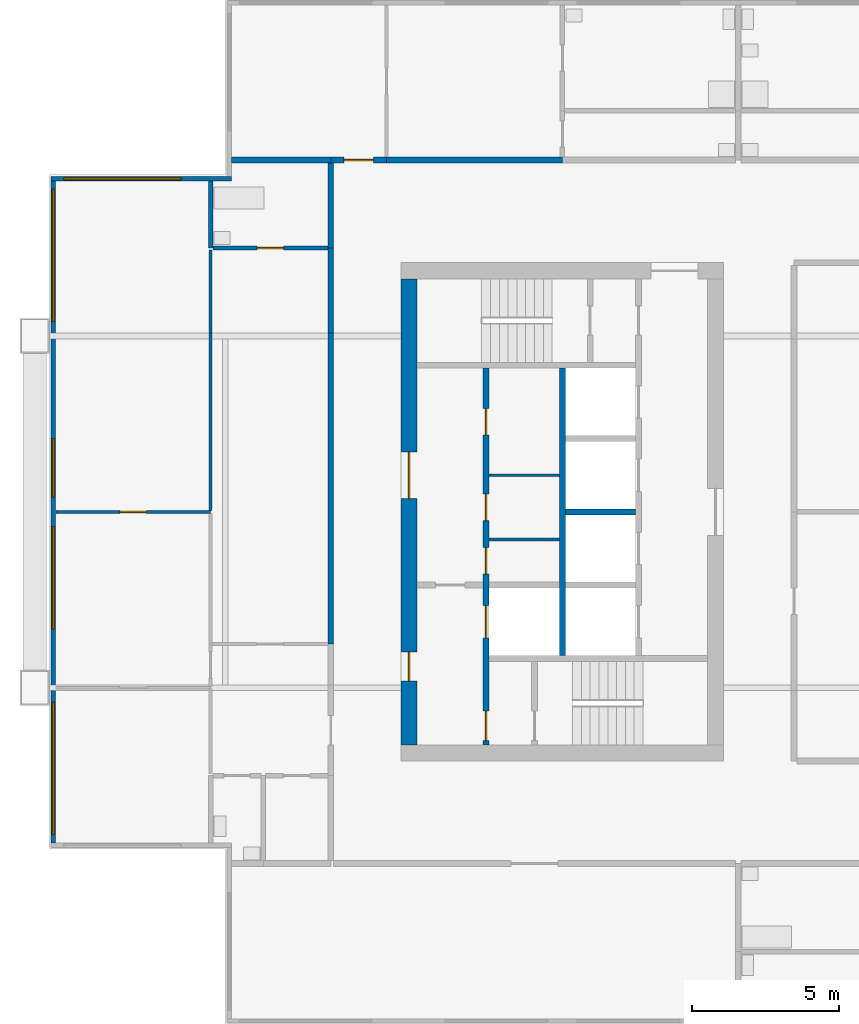
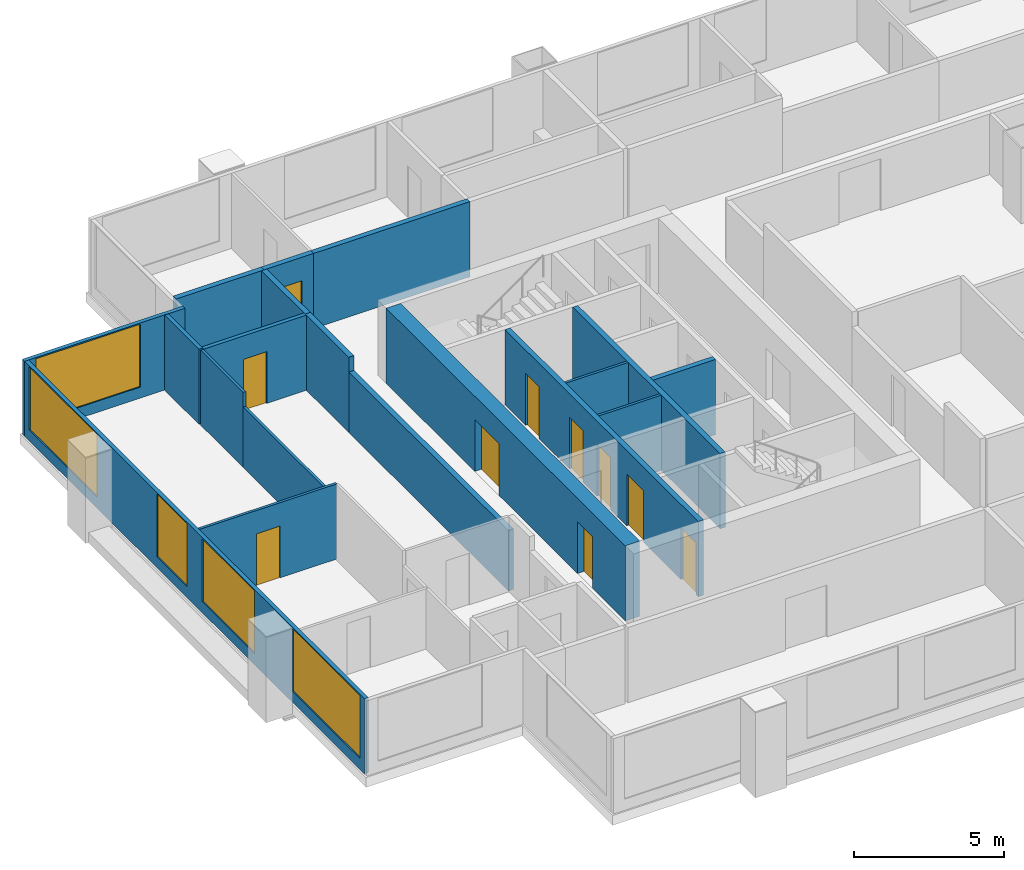
# One storey, part 3 of 9: 19 walls, 10 doors, 5 windows, 15 openings.
"""IFC4 building model written with IfcOpenShell, lengths in metres."""

from ifc_helpers import new_model, si_unit, direction, frame, frame_2d, origin, place, context, subcontext, project, spatial, rectangle, extrude, material, layer, layer_set, type_object, element, fill, save


model = new_model("IFC4")

# Units and contexts
model_context = context("Model", 3, precision=1e-05, world=origin(), true_north=direction((0.0, 1.0)))
body_context = subcontext(model_context, "Body", "Model", "MODEL_VIEW")
ifc_project = project(units=[si_unit("LENGTHUNIT", "METRE"), si_unit("AREAUNIT", "SQUARE_METRE"), si_unit("VOLUMEUNIT", "CUBIC_METRE"), si_unit("PLANEANGLEUNIT", "RADIAN"), si_unit("MASSUNIT", "GRAM", prefix="KILO")], contexts=[model_context])

# Site, building, storey
site_placement = place(None, origin())
site = spatial("IfcSite", under=ifc_project, at=site_placement, CompositionType="ELEMENT")
building_placement = place(site_placement, origin())
building = spatial("IfcBuilding", under=site, at=building_placement, Name="Kitamizu Gate Tower and Museum", CompositionType="ELEMENT")
storey_placement = place(building_placement, frame((0.0, 0.0, 210.0)))
storey = spatial("IfcBuildingStorey", under=building, at=storey_placement, Name="L56", CompositionType="ELEMENT", Elevation=210.0)

# Wall, openings, doors
ifc_material_1 = material(Name="Concrete Fc42", Category="concrete")
ifc_layer_1 = layer(ifc_material_1, 0.550048828125)
ifc_layer_set_1 = layer_set([ifc_layer_1], Name="Concrete Fc42")
wall_type_1 = type_object("IfcWallType", Name="Core wall 550", PredefinedType="SHEAR", material=ifc_layer_set_1)
wall_1_placement = place(storey_placement, frame((12.77490234375, 22.050048828125, 0.0), z_axis=(0.0, 0.0, 1.0), x_axis=(0.0, 1.0, 0.0)))
wall_1 = element("IfcWall", 1, at=wall_1_placement, inside=storey, type_object=wall_type_1, Name="Core wall WOUT", PredefinedType="SHEAR", context=body_context, shape_type="SweptSolid", body=[
    extrude(rectangle(XDim=15.89990234375, YDim=0.550048828125, at=frame_2d((7.949951171875, 0.0))), origin(), (0.0, 0.0, 1.0), 3.050048828125),
])
opening_1_placement = place(wall_1_placement, frame((8.39990234375, 0.0, 0.0)))
opening_1 = element("IfcOpeningElement", 2, at=opening_1_placement, cuts=wall_1, Name="Opening L56-037", PredefinedType="OPENING", context=body_context, shape_type="SweptSolid", body=[
    extrude(rectangle(XDim=1.60009765625, YDim=2.10009765625, at=frame_2d((0.800048828125, 1.050048828125))), frame((0.0, 0.28515625, 0.0), z_axis=(0.0, -1.0, 0.0), x_axis=(1.0, 0.0, 0.0)), (0.0, 0.0, 1.0), 0.570068359375),
])
opening_2_placement = place(wall_1_placement, frame((2.175048828125, 0.0, 0.0)))
opening_2 = element("IfcOpeningElement", 3, at=opening_2_placement, cuts=wall_1, Name="Opening L56-038", PredefinedType="OPENING", context=body_context, shape_type="SweptSolid", body=[
    extrude(rectangle(XDim=1.0, YDim=2.10009765625, at=frame_2d((0.5, 1.050048828125))), frame((0.0, 0.28515625, 0.0), z_axis=(0.0, -1.0, 0.0), x_axis=(1.0, 0.0, 0.0)), (0.0, 0.0, 1.0), 0.570068359375),
])
ifc_material_2 = material(Name="Timber door set", Category="wood")
door_type_1 = type_object("IfcDoorType", Name="Entrance door 1600", OperationType="DOUBLE_DOOR_SINGLE_SWING", PredefinedType="DOOR", material=ifc_material_2)
door_1_placement = place(opening_1_placement, origin())
door_1 = element("IfcDoor", 4, at=door_1_placement, inside=storey, type_object=door_type_1, Name="Lobby door L56-037", OperationType="DOUBLE_DOOR_SINGLE_SWING", OverallHeight=2.10009765625, OverallWidth=1.60009765625, PredefinedType="DOOR", context=body_context, shape_type="SweptSolid", body=[
    extrude(rectangle(XDim=1.60009765625, YDim=2.10009765625, at=frame_2d((0.800048828125, 1.050048828125))), frame((0.0, 0.02490234375, 0.0), z_axis=(0.0, -1.0, 0.0), x_axis=(1.0, 0.0, 0.0)), (0.0, 0.0, 1.0), 0.050048828125),
])
fill(opening_1, door_1)
ifc_material_3 = material(Name="Hollow metal door set")
door_type_2 = type_object("IfcDoorType", Name="Fire door 1000", OperationType="NOTDEFINED", PredefinedType="DOOR", material=ifc_material_3)
door_2_placement = place(opening_2_placement, frame((1.0, 0.0, 0.0), x_axis=(-1.0, 0.0, 0.0)))
door_2 = element("IfcDoor", 5, at=door_2_placement, inside=storey, type_object=door_type_2, Name="Fire-fighting lobby door L56-038", OperationType="SINGLE_SWING_LEFT", OverallHeight=2.10009765625, OverallWidth=1.0, PredefinedType="DOOR", context=body_context, shape_type="SweptSolid", body=[
    extrude(rectangle(XDim=1.0, YDim=2.10009765625, at=frame_2d((0.5, 1.050048828125))), frame((0.0, 0.02490234375, 0.0), z_axis=(0.0, -1.0, 0.0), x_axis=(1.0, 0.0, 0.0)), (0.0, 0.0, 1.0), 0.050048828125),
])
fill(opening_2, door_2)

# Walls
ifc_material_4 = material(Name="Gypsum board on galvanised stud")
ifc_layer_2 = layer(ifc_material_4, 0.10009765625)
ifc_layer_set_2 = layer_set([ifc_layer_2], Name="Gypsum board on galvanised stud")
wall_type_2 = type_object("IfcWallType", Name="Partition 100", PredefinedType="PARTITIONING", material=ifc_layer_set_2)
for number, where, z_axis, x_axis, name in (
    (6, (15.5, 29.06005859375, 0.0), (0.0, 0.0, 1.0), (1.0, 0.0, 0.0), "Partition WPF1"),
    (7, (15.5, 31.25, 0.0), (0.0, 0.0, 1.0), (1.0, 0.0, 0.0), "Partition WPF2"),
):
    element("IfcWall", number, at=place(storey_placement, frame(where, z_axis=z_axis, x_axis=x_axis)), inside=storey, type_object=wall_type_2, Name=name, PredefinedType="PARTITIONING", context=body_context, shape_type="SweptSolid", body=[
        extrude(rectangle(XDim=2.39990234375, YDim=0.10009765625, at=frame_2d((1.199951171875, 0.0))), origin(), (0.0, 0.0, 1.0), 3.050048828125),
    ])

# Wall, opening, door
ifc_material_5 = material(Name="Gypsum board on galvanised stud")
ifc_layer_3 = layer(ifc_material_5, 0.10009765625)
ifc_layer_set_3 = layer_set([ifc_layer_3], Name="Gypsum board on galvanised stud")
wall_type_3 = type_object("IfcWallType", Name="Partition 100 NOT RATED", PredefinedType="PARTITIONING", material=ifc_layer_set_3)
wall_2_placement = place(storey_placement, frame((6.0, 30.0, 0.0), z_axis=(0.0, 0.0, 1.0), x_axis=(-1.0, 0.0, 0.0)))
wall_2 = element("IfcWall", 8, at=wall_2_placement, inside=storey, type_object=wall_type_3, Name="Partition L56-038", PredefinedType="PARTITIONING", context=body_context, shape_type="SweptSolid", body=[
    extrude(rectangle(XDim=5.280029296875, YDim=0.10009765625, at=frame_2d((2.64013671875, 0.0))), origin(), (0.0, 0.0, 1.0), 3.050048828125),
])
opening_3_placement = place(wall_2_placement, frame((2.18994140625, 0.0, 0.0)))
opening_3 = element("IfcOpeningElement", 9, at=opening_3_placement, cuts=wall_2, Name="Opening L56-020", PredefinedType="OPENING", context=body_context, shape_type="SweptSolid", body=[
    extrude(rectangle(XDim=0.89990234375, YDim=2.10009765625, at=frame_2d((0.449951171875, 1.050048828125))), frame((0.0, 0.06005859375, 0.0), z_axis=(0.0, -1.0, 0.0), x_axis=(1.0, 0.0, 0.0)), (0.0, 0.0, 1.0), 0.1201171875),
])
ifc_material_6 = material(Name="Timber door set", Category="wood")
door_type_3 = type_object("IfcDoorType", Name="Room door 900", OperationType="NOTDEFINED", PredefinedType="DOOR", material=ifc_material_6)
door_3_placement = place(opening_3_placement, origin())
door_3 = element("IfcDoor", 10, at=door_3_placement, inside=storey, type_object=door_type_3, Name="Door L56-020", OperationType="SINGLE_SWING_RIGHT", OverallHeight=2.10009765625, OverallWidth=0.89990234375, PredefinedType="DOOR", context=body_context, shape_type="SweptSolid", body=[
    extrude(rectangle(XDim=0.89990234375, YDim=2.10009765625, at=frame_2d((0.449951171875, 1.050048828125))), frame((0.0, 0.02490234375, 0.0), z_axis=(0.0, -1.0, 0.0), x_axis=(1.0, 0.0, 0.0)), (0.0, 0.0, 1.0), 0.050048828125),
])
fill(opening_3, door_3)

# Walls
wall_3_placement = place(storey_placement, frame((6.0, 30.050048828125, 0.0), z_axis=(0.0, 0.0, 1.0), x_axis=(0.0, 1.0, 0.0)))
element("IfcWall", 11, at=wall_3_placement, inside=storey, type_object=wall_type_3, Name="Partition L56-041", PredefinedType="PARTITIONING", context=body_context, shape_type="SweptSolid", body=[
    extrude(rectangle(XDim=6.050048828125, YDim=0.10009765625, at=frame_2d((3.02490234375, 0.0))), origin(), (0.0, 0.0, 1.0), 2.449951171875),
])
wall_4_placement = place(storey_placement, frame((6.0, 36.10009765625, 0.0), z_axis=(0.0, 0.0, 1.0), x_axis=(0.0, 1.0, 0.0)))
element("IfcWall", 12, at=wall_4_placement, inside=storey, type_object=wall_type_3, Name="Partition L56-042", PredefinedType="PARTITIONING", context=body_context, shape_type="SweptSolid", body=[
    extrude(rectangle(XDim=2.824951171875, YDim=0.10009765625, at=frame_2d((1.41259765625, 0.0))), origin(), (0.0, 0.0, 1.0), 3.050048828125),
])
ifc_material_7 = material(Name="Gypsum board on galvanised stud")
ifc_layer_4 = layer(ifc_material_7, 0.14990234375)
ifc_layer_set_4 = layer_set([ifc_layer_4], Name="Gypsum board on galvanised stud")
wall_type_4 = type_object("IfcWallType", Name="Partition 150", PredefinedType="PARTITIONING", material=ifc_layer_set_4)
wall_5_placement = place(storey_placement, frame((6.0, 39.0, 0.0), z_axis=(0.0, 0.0, 1.0), x_axis=(0.0, 1.0, 0.0)))
element("IfcWall", 13, at=wall_5_placement, inside=storey, type_object=wall_type_4, Name="Partition L56-043", PredefinedType="PARTITIONING", context=body_context, shape_type="SweptSolid", body=[
    extrude(rectangle(XDim=2.280029296875, YDim=0.14990234375, at=frame_2d((1.14013671875, 0.0))), origin(), (0.0, 0.0, 1.0), 3.050048828125),
])

# Wall, opening, door
wall_6_placement = place(storey_placement, frame((10.0, 39.0, 0.0), z_axis=(0.0, 0.0, 1.0), x_axis=(-1.0, 0.0, 0.0)))
wall_6 = element("IfcWall", 14, at=wall_6_placement, inside=storey, type_object=wall_type_4, Name="Partition L56-053", PredefinedType="PARTITIONING", context=body_context, shape_type="SweptSolid", body=[
    extrude(rectangle(XDim=3.925048828125, YDim=0.14990234375, at=frame_2d((1.96240234375, 0.0))), origin(), (0.0, 0.0, 1.0), 3.050048828125),
])
opening_4_placement = place(wall_6_placement, frame((1.512451171875, 0.0, 0.0)))
opening_4 = element("IfcOpeningElement", 15, at=opening_4_placement, cuts=wall_6, Name="Opening L56-024", PredefinedType="OPENING", context=body_context, shape_type="SweptSolid", body=[
    extrude(rectangle(XDim=0.89990234375, YDim=2.10009765625, at=frame_2d((0.449951171875, 1.050048828125))), frame((0.0, 0.0849609375, 0.0), z_axis=(0.0, -1.0, 0.0), x_axis=(1.0, 0.0, 0.0)), (0.0, 0.0, 1.0), 0.169921875),
])
ifc_material_8 = material(Name="Timber door set", Category="wood")
door_type_4 = type_object("IfcDoorType", Name="Bathroom door 900", OperationType="NOTDEFINED", PredefinedType="DOOR", material=ifc_material_8)
door_4_placement = place(opening_4_placement, frame((0.89990234375, 0.0, 0.0), x_axis=(-1.0, 0.0, 0.0)))
door_4 = element("IfcDoor", 16, at=door_4_placement, inside=storey, type_object=door_type_4, Name="Bathroom door L56-024", OperationType="SINGLE_SWING_LEFT", OverallHeight=2.10009765625, OverallWidth=0.89990234375, PredefinedType="DOOR", context=body_context, shape_type="SweptSolid", body=[
    extrude(rectangle(XDim=0.89990234375, YDim=2.10009765625, at=frame_2d((0.449951171875, 1.050048828125))), frame((0.0, 0.02490234375, 0.0), z_axis=(0.0, -1.0, 0.0), x_axis=(1.0, 0.0, 0.0)), (0.0, 0.0, 1.0), 0.050048828125),
])
fill(opening_4, door_4)

# Wall
ifc_material_9 = material(Name="Gypsum board on galvanised stud")
ifc_layer_5 = layer(ifc_material_9, 0.199951171875)
ifc_layer_set_5 = layer_set([ifc_layer_5], Name="Gypsum board on galvanised stud")
wall_type_5 = type_object("IfcWallType", Name="Partition 200", PredefinedType="PARTITIONING", material=ifc_layer_set_5)
wall_7_placement = place(storey_placement, frame((6.719970703125, 42.0, 0.0), z_axis=(0.0, 0.0, 1.0), x_axis=(1.0, 0.0, 0.0)))
element("IfcWall", 17, at=wall_7_placement, inside=storey, type_object=wall_type_5, Name="Partition L56-015", PredefinedType="PARTITIONING", context=body_context, shape_type="SweptSolid", body=[
    extrude(rectangle(XDim=3.380126953125, YDim=0.199951171875, at=frame_2d((1.68994140625, 0.0))), origin(), (0.0, 0.0, 1.0), 3.050048828125),
])

# Wall, opening, door
wall_8_placement = place(storey_placement, frame((10.10009765625, 42.0, 0.0), z_axis=(0.0, 0.0, 1.0), x_axis=(1.0, 0.0, 0.0)))
wall_8 = element("IfcWall", 18, at=wall_8_placement, inside=storey, type_object=wall_type_5, Name="Partition L56-016", PredefinedType="PARTITIONING", context=body_context, shape_type="SweptSolid", body=[
    extrude(rectangle(XDim=1.89990234375, YDim=0.199951171875, at=frame_2d((0.949951171875, 0.0))), origin(), (0.0, 0.0, 1.0), 3.050048828125),
])
opening_5_placement = place(wall_8_placement, frame((0.449951171875, 0.0, 0.0)))
opening_5 = element("IfcOpeningElement", 19, at=opening_5_placement, cuts=wall_8, Name="Opening L56-007", PredefinedType="OPENING", context=body_context, shape_type="SweptSolid", body=[
    extrude(rectangle(XDim=1.0, YDim=2.10009765625, at=frame_2d((0.5, 1.050048828125))), frame((0.0, 0.10986328125, 0.0), z_axis=(0.0, -1.0, 0.0), x_axis=(1.0, 0.0, 0.0)), (0.0, 0.0, 1.0), 0.219970703125),
])
ifc_material_10 = material(Name="Timber door set", Category="wood")
door_type_5 = type_object("IfcDoorType", Name="Flat entrance door 1000", OperationType="NOTDEFINED", PredefinedType="DOOR", material=ifc_material_10)
door_5_placement = place(opening_5_placement, origin())
door_5 = element("IfcDoor", 20, at=door_5_placement, inside=storey, type_object=door_type_5, Name="Flat entrance door L56-007", OperationType="SINGLE_SWING_LEFT", OverallHeight=2.10009765625, OverallWidth=1.0, PredefinedType="DOOR", context=body_context, shape_type="SweptSolid", body=[
    extrude(rectangle(XDim=1.0, YDim=2.10009765625, at=frame_2d((0.5, 1.050048828125))), frame((0.0, 0.02490234375, 0.0), z_axis=(0.0, -1.0, 0.0), x_axis=(1.0, 0.0, 0.0)), (0.0, 0.0, 1.0), 0.050048828125),
])
fill(opening_5, door_5)

# Walls
wall_9_placement = place(storey_placement, frame((12.0, 42.0, 0.0), z_axis=(0.0, 0.0, 1.0), x_axis=(1.0, 0.0, 0.0)))
element("IfcWall", 21, at=wall_9_placement, inside=storey, type_object=wall_type_5, Name="Partition L56-019", PredefinedType="PARTITIONING", context=body_context, shape_type="SweptSolid", body=[
    extrude(rectangle(XDim=6.0, YDim=0.199951171875, at=frame_2d((3.0, 0.0))), origin(), (0.0, 0.0, 1.0), 3.050048828125),
])
wall_10_placement = place(storey_placement, frame((10.10009765625, 25.5, 0.0), z_axis=(0.0, 0.0, 1.0), x_axis=(0.0, 1.0, 0.0)))
element("IfcWall", 22, at=wall_10_placement, inside=storey, type_object=wall_type_5, Name="Partition L56-054", PredefinedType="PARTITIONING", context=body_context, shape_type="SweptSolid", body=[
    extrude(rectangle(XDim=10.60009765625, YDim=0.199951171875, at=frame_2d((5.300048828125, 0.0))), origin(), (0.0, 0.0, 1.0), 2.449951171875),
])
for number, where, z_axis, x_axis, name in (
    (23, (10.10009765625, 36.10009765625, 0.0), (0.0, 0.0, 1.0), (0.0, 1.0, 0.0), "Partition L56-055"),
    (24, (10.10009765625, 39.0, 0.0), (0.0, 0.0, 1.0), (0.0, 1.0, 0.0), "Partition L56-056"),
):
    element("IfcWall", number, at=place(storey_placement, frame(where, z_axis=z_axis, x_axis=x_axis)), inside=storey, type_object=wall_type_5, Name=name, PredefinedType="PARTITIONING", context=body_context, shape_type="SweptSolid", body=[
        extrude(rectangle(XDim=2.89990234375, YDim=0.199951171875, at=frame_2d((1.449951171875, 0.0))), origin(), (0.0, 0.0, 1.0), 3.050048828125),
    ])

# Wall, openings, doors
ifc_material_11 = material(Name="Concrete Fc42", Category="concrete")
ifc_layer_6 = layer(ifc_material_11, 0.199951171875)
ifc_layer_set_6 = layer_set([ifc_layer_6], Name="Concrete Fc42")
wall_type_6 = type_object("IfcWallType", Name="Shaft wall 200", PredefinedType="SOLIDWALL", material=ifc_layer_set_6)
wall_11_placement = place(storey_placement, frame((15.39990234375, 22.050048828125, 0.0), z_axis=(0.0, 0.0, 1.0), x_axis=(0.0, 1.0, 0.0)))
wall_11 = element("IfcWall", 25, at=wall_11_placement, inside=storey, type_object=wall_type_6, Name="Shaft wall WWEST", PredefinedType="SOLIDWALL", context=body_context, shape_type="SweptSolid", body=[
    extrude(rectangle(XDim=12.849853515625, YDim=0.199951171875, at=frame_2d((6.4248046875, 0.0))), origin(), (0.0, 0.0, 1.0), 3.050048828125),
])
opening_6_placement = place(wall_11_placement, frame((3.64990234375, 0.0, 0.0)))
opening_6 = element("IfcOpeningElement", 26, at=opening_6_placement, cuts=wall_11, Name="Opening LD", PredefinedType="OPENING", context=body_context, shape_type="SweptSolid", body=[
    extrude(rectangle(XDim=1.10009765625, YDim=2.10009765625, at=frame_2d((0.550048828125, 1.050048828125))), frame((0.0, 0.10986328125, 0.0), z_axis=(0.0, -1.0, 0.0), x_axis=(1.0, 0.0, 0.0)), (0.0, 0.0, 1.0), 0.219970703125),
])
opening_7_placement = place(wall_11_placement, frame((0.14990234375, 0.0, 0.0)))
opening_7 = element("IfcOpeningElement", 27, at=opening_7_placement, cuts=wall_11, Name="Opening L56-033", PredefinedType="OPENING", context=body_context, shape_type="SweptSolid", body=[
    extrude(rectangle(XDim=1.0, YDim=2.10009765625, at=frame_2d((0.5, 1.050048828125))), frame((0.0, 0.10986328125, 0.0), z_axis=(0.0, -1.0, 0.0), x_axis=(1.0, 0.0, 0.0)), (0.0, 0.0, 1.0), 0.219970703125),
])
opening_8_placement = place(wall_11_placement, frame((5.830078125, 0.0, 0.0)))
opening_8 = element("IfcOpeningElement", 28, at=opening_8_placement, cuts=wall_11, Name="Opening L56-041", PredefinedType="OPENING", context=body_context, shape_type="SweptSolid", body=[
    extrude(rectangle(XDim=0.89990234375, YDim=2.10009765625, at=frame_2d((0.449951171875, 1.050048828125))), frame((0.0, 0.10986328125, 0.0), z_axis=(0.0, -1.0, 0.0), x_axis=(1.0, 0.0, 0.0)), (0.0, 0.0, 1.0), 0.219970703125),
])
opening_9_placement = place(wall_11_placement, frame((7.655029296875, 0.0, 0.0)))
opening_9 = element("IfcOpeningElement", 29, at=opening_9_placement, cuts=wall_11, Name="Opening L56-042", PredefinedType="OPENING", context=body_context, shape_type="SweptSolid", body=[
    extrude(rectangle(XDim=0.89990234375, YDim=2.10009765625, at=frame_2d((0.449951171875, 1.050048828125))), frame((0.0, 0.10986328125, 0.0), z_axis=(0.0, -1.0, 0.0), x_axis=(1.0, 0.0, 0.0)), (0.0, 0.0, 1.0), 0.219970703125),
])
opening_10_placement = place(wall_11_placement, frame((10.574951171875, 0.0, 0.0)))
opening_10 = element("IfcOpeningElement", 30, at=opening_10_placement, cuts=wall_11, Name="Opening L56-043", PredefinedType="OPENING", context=body_context, shape_type="SweptSolid", body=[
    extrude(rectangle(XDim=0.89990234375, YDim=2.10009765625, at=frame_2d((0.449951171875, 1.050048828125))), frame((0.0, 0.10986328125, 0.0), z_axis=(0.0, -1.0, 0.0), x_axis=(1.0, 0.0, 0.0)), (0.0, 0.0, 1.0), 0.219970703125),
])
door_6_placement = place(opening_7_placement, frame((1.0, 0.0, 0.0), x_axis=(-1.0, 0.0, 0.0)))
door_6 = element("IfcDoor", 31, at=door_6_placement, inside=storey, type_object=door_type_2, Name="Stair lobby door L56-033", OperationType="SINGLE_SWING_LEFT", OverallHeight=2.10009765625, OverallWidth=1.0, PredefinedType="DOOR", context=body_context, shape_type="SweptSolid", body=[
    extrude(rectangle(XDim=1.0, YDim=2.10009765625, at=frame_2d((0.5, 1.050048828125))), frame((0.0, 0.02490234375, 0.0), z_axis=(0.0, -1.0, 0.0), x_axis=(1.0, 0.0, 0.0)), (0.0, 0.0, 1.0), 0.050048828125),
])
fill(opening_7, door_6)
ifc_material_12 = material(Name="Hollow metal door set")
door_type_6 = type_object("IfcDoorType", Name="Landing door 1100", OperationType="SLIDING_TO_LEFT", PredefinedType="DOOR", material=ifc_material_12)
door_7_placement = place(opening_6_placement, origin())
door_7 = element("IfcDoor", 32, at=door_7_placement, inside=storey, type_object=door_type_6, Name="Landing door WFF1", OperationType="SLIDING_TO_LEFT", OverallHeight=2.10009765625, OverallWidth=1.10009765625, PredefinedType="DOOR", context=body_context, shape_type="SweptSolid", body=[
    extrude(rectangle(XDim=1.10009765625, YDim=2.10009765625, at=frame_2d((0.550048828125, 1.050048828125))), frame((0.0, 0.02490234375, 0.0), z_axis=(0.0, -1.0, 0.0), x_axis=(1.0, 0.0, 0.0)), (0.0, 0.0, 1.0), 0.050048828125),
])
fill(opening_6, door_7)
ifc_material_13 = material(Name="Timber door set", Category="wood")
door_type_7 = type_object("IfcDoorType", Name="Service door 900", OperationType="NOTDEFINED", PredefinedType="DOOR", material=ifc_material_13)
door_8_placement = place(opening_8_placement, frame((0.89990234375, 0.0, 0.0), x_axis=(-1.0, 0.0, 0.0)))
door_8 = element("IfcDoor", 33, at=door_8_placement, inside=storey, type_object=door_type_7, Name="Service door L56-041", OperationType="SINGLE_SWING_RIGHT", OverallHeight=2.10009765625, OverallWidth=0.89990234375, PredefinedType="DOOR", context=body_context, shape_type="SweptSolid", body=[
    extrude(rectangle(XDim=0.89990234375, YDim=2.10009765625, at=frame_2d((0.449951171875, 1.050048828125))), frame((0.0, 0.02490234375, 0.0), z_axis=(0.0, -1.0, 0.0), x_axis=(1.0, 0.0, 0.0)), (0.0, 0.0, 1.0), 0.050048828125),
])
fill(opening_8, door_8)
door_9_placement = place(opening_9_placement, frame((0.89990234375, 0.0, 0.0), x_axis=(-1.0, 0.0, 0.0)))
door_9 = element("IfcDoor", 34, at=door_9_placement, inside=storey, type_object=door_type_7, Name="Service door L56-042", OperationType="SINGLE_SWING_LEFT", OverallHeight=2.10009765625, OverallWidth=0.89990234375, PredefinedType="DOOR", context=body_context, shape_type="SweptSolid", body=[
    extrude(rectangle(XDim=0.89990234375, YDim=2.10009765625, at=frame_2d((0.449951171875, 1.050048828125))), frame((0.0, 0.02490234375, 0.0), z_axis=(0.0, -1.0, 0.0), x_axis=(1.0, 0.0, 0.0)), (0.0, 0.0, 1.0), 0.050048828125),
])
fill(opening_9, door_9)
door_10_placement = place(opening_10_placement, frame((0.89990234375, 0.0, 0.0), x_axis=(-1.0, 0.0, 0.0)))
door_10 = element("IfcDoor", 35, at=door_10_placement, inside=storey, type_object=door_type_7, Name="Service door L56-043", OperationType="SINGLE_SWING_RIGHT", OverallHeight=2.10009765625, OverallWidth=0.89990234375, PredefinedType="DOOR", context=body_context, shape_type="SweptSolid", body=[
    extrude(rectangle(XDim=0.89990234375, YDim=2.10009765625, at=frame_2d((0.449951171875, 1.050048828125))), frame((0.0, 0.02490234375, 0.0), z_axis=(0.0, -1.0, 0.0), x_axis=(1.0, 0.0, 0.0)), (0.0, 0.0, 1.0), 0.050048828125),
])
fill(opening_10, door_10)

# Walls
wall_12_placement = place(storey_placement, frame((18.0, 25.10009765625, 0.0), z_axis=(0.0, 0.0, 1.0), x_axis=(0.0, 1.0, 0.0)))
element("IfcWall", 36, at=wall_12_placement, inside=storey, type_object=wall_type_6, Name="Shaft wall WMID", PredefinedType="SOLIDWALL", context=body_context, shape_type="SweptSolid", body=[
    extrude(rectangle(XDim=9.7998046875, YDim=0.199951171875, at=frame_2d((4.89990234375, 0.0))), origin(), (0.0, 0.0, 1.0), 3.050048828125),
])
wall_13_placement = place(storey_placement, frame((18.10009765625, 30.0, 0.0), z_axis=(0.0, 0.0, 1.0), x_axis=(1.0, 0.0, 0.0)))
element("IfcWall", 37, at=wall_13_placement, inside=storey, type_object=wall_type_6, Name="Shaft wall WDVE1", PredefinedType="SOLIDWALL", context=body_context, shape_type="SweptSolid", body=[
    extrude(rectangle(XDim=2.39990234375, YDim=0.199951171875, at=frame_2d((1.199951171875, 0.0))), origin(), (0.0, 0.0, 1.0), 3.050048828125),
])

# Wall, opening, window
ifc_material_14 = material(Name="Bronze anodised aluminium frame with insulated spandrel and tinted glass", Category="aluminium")
ifc_layer_7 = layer(ifc_material_14, 0.14990234375)
ifc_layer_set_7 = layer_set([ifc_layer_7], Name="Bronze anodised aluminium frame with insulated spandrel and tinted glass")
wall_type_7 = type_object("IfcWallType", Name="WINDOW WALL 150 BRONZE FRAME EI 30", PredefinedType="ELEMENTEDWALL", material=ifc_layer_set_7)
wall_14_placement = place(storey_placement, frame((0.56005859375, 41.364990234375, 0.0), z_axis=(0.0, 0.0, 1.0), x_axis=(1.0, 0.0, 0.0)))
wall_14 = element("IfcWall", 38, at=wall_14_placement, inside=storey, type_object=wall_type_7, Name="Window wall north L56", PredefinedType="ELEMENTEDWALL", context=body_context, shape_type="SweptSolid", body=[
    extrude(rectangle(XDim=6.14990234375, YDim=0.14990234375, at=frame_2d((3.074951171875, 0.0))), origin(), (0.0, 0.0, 1.0), 3.050048828125),
])
opening_11_placement = place(wall_14_placement, frame((0.43994140625, 0.0, 0.449951171875)))
opening_11 = element("IfcOpeningElement", 39, at=opening_11_placement, cuts=wall_14, Name="Opening W16", PredefinedType="OPENING", context=body_context, shape_type="SweptSolid", body=[
    extrude(rectangle(XDim=4.0, YDim=2.550048828125, at=frame_2d((2.0, 1.27490234375))), frame((0.0, 0.0849609375, 0.0), z_axis=(0.0, -1.0, 0.0), x_axis=(1.0, 0.0, 0.0)), (0.0, 0.0, 1.0), 0.169921875),
])
ifc_material_15 = material(Name="Bronze anodised aluminium frame, tinted triple glazing", Category="aluminium")
window_type_1 = type_object("IfcWindowType", Name="WINDOW 4000 x 2550 SILL 450", PartitioningType="SINGLE_PANEL", PredefinedType="WINDOW", material=ifc_material_15)
window_1_placement = place(opening_11_placement, origin())
window_1 = element("IfcWindow", 40, at=window_1_placement, inside=storey, type_object=window_type_1, Name="Window W16 L56", OverallHeight=2.550048828125, OverallWidth=4.0, PartitioningType="SINGLE_PANEL", PredefinedType="WINDOW", context=body_context, shape_type="SweptSolid", body=[
    extrude(rectangle(XDim=4.0, YDim=2.550048828125, at=frame_2d((2.0, 1.27490234375))), frame((0.0, 0.030029296875, 0.0), z_axis=(0.0, -1.0, 0.0), x_axis=(1.0, 0.0, 0.0)), (0.0, 0.0, 1.0), 0.06005859375),
])
fill(opening_11, window_1)

# Wall, openings, windows
wall_15_placement = place(storey_placement, frame((0.635009765625, 18.7099609375, 0.0), z_axis=(0.0, 0.0, 1.0), x_axis=(0.0, 1.0, 0.0)))
wall_15 = element("IfcWall", 41, at=wall_15_placement, inside=storey, type_object=wall_type_7, Name="Window wall west L56", PredefinedType="ELEMENTEDWALL", context=body_context, shape_type="SweptSolid", body=[
    extrude(rectangle(XDim=22.580078125, YDim=0.14990234375, at=frame_2d((11.2900390625, 0.0))), origin(), (0.0, 0.0, 1.0), 3.050048828125),
])
opening_12_placement = place(wall_15_placement, frame((0.2900390625, 0.0, 0.449951171875)))
opening_12 = element("IfcOpeningElement", 42, at=opening_12_placement, cuts=wall_15, Name="Opening W15", PredefinedType="OPENING", context=body_context, shape_type="SweptSolid", body=[
    extrude(rectangle(XDim=4.5, YDim=2.550048828125, at=frame_2d((2.25, 1.27490234375))), frame((0.0, 0.0849609375, 0.0), z_axis=(0.0, -1.0, 0.0), x_axis=(1.0, 0.0, 0.0)), (0.0, 0.0, 1.0), 0.169921875),
])
opening_13_placement = place(wall_15_placement, frame((7.2900390625, 0.0, 0.449951171875)))
opening_13 = element("IfcOpeningElement", 43, at=opening_13_placement, cuts=wall_15, Name="Opening W35", PredefinedType="OPENING", context=body_context, shape_type="SweptSolid", body=[
    extrude(rectangle(XDim=3.5, YDim=2.550048828125, at=frame_2d((1.75, 1.27490234375))), frame((0.0, 0.0849609375, 0.0), z_axis=(0.0, -1.0, 0.0), x_axis=(1.0, 0.0, 0.0)), (0.0, 0.0, 1.0), 0.169921875),
])
opening_14_placement = place(wall_15_placement, frame((11.7900390625, 0.0, 0.449951171875)))
opening_14 = element("IfcOpeningElement", 44, at=opening_14_placement, cuts=wall_15, Name="Opening W2", PredefinedType="OPENING", context=body_context, shape_type="SweptSolid", body=[
    extrude(rectangle(XDim=2.0, YDim=2.550048828125, at=frame_2d((1.0, 1.27490234375))), frame((0.0, 0.0849609375, 0.0), z_axis=(0.0, -1.0, 0.0), x_axis=(1.0, 0.0, 0.0)), (0.0, 0.0, 1.0), 0.169921875),
])
opening_15_placement = place(wall_15_placement, frame((17.7900390625, 0.0, 0.449951171875)))
opening_15 = element("IfcOpeningElement", 45, at=opening_15_placement, cuts=wall_15, Name="Opening W15", PredefinedType="OPENING", context=body_context, shape_type="SweptSolid", body=[
    extrude(rectangle(XDim=4.5, YDim=2.550048828125, at=frame_2d((2.25, 1.27490234375))), frame((0.0, 0.0849609375, 0.0), z_axis=(0.0, -1.0, 0.0), x_axis=(1.0, 0.0, 0.0)), (0.0, 0.0, 1.0), 0.169921875),
])
ifc_material_16 = material(Name="Bronze anodised aluminium frame, tinted triple glazing", Category="aluminium")
window_type_2 = type_object("IfcWindowType", Name="WINDOW 2000 x 2550 SILL 450", PartitioningType="SINGLE_PANEL", PredefinedType="WINDOW", material=ifc_material_16)
window_2_placement = place(opening_14_placement, origin())
window_2 = element("IfcWindow", 46, at=window_2_placement, inside=storey, type_object=window_type_2, Name="Window W2 L56", OverallHeight=2.550048828125, OverallWidth=2.0, PartitioningType="SINGLE_PANEL", PredefinedType="WINDOW", context=body_context, shape_type="SweptSolid", body=[
    extrude(rectangle(XDim=2.0, YDim=2.550048828125, at=frame_2d((1.0, 1.27490234375))), frame((0.0, 0.030029296875, 0.0), z_axis=(0.0, -1.0, 0.0), x_axis=(1.0, 0.0, 0.0)), (0.0, 0.0, 1.0), 0.06005859375),
])
fill(opening_14, window_2)
ifc_material_17 = material(Name="Bronze anodised aluminium frame, tinted triple glazing", Category="aluminium")
window_type_3 = type_object("IfcWindowType", Name="WINDOW 3500 x 2550 SILL 450", PartitioningType="SINGLE_PANEL", PredefinedType="WINDOW", material=ifc_material_17)
window_3_placement = place(opening_13_placement, origin())
window_3 = element("IfcWindow", 47, at=window_3_placement, inside=storey, type_object=window_type_3, Name="Window W35 L56", OverallHeight=2.550048828125, OverallWidth=3.5, PartitioningType="SINGLE_PANEL", PredefinedType="WINDOW", context=body_context, shape_type="SweptSolid", body=[
    extrude(rectangle(XDim=3.5, YDim=2.550048828125, at=frame_2d((1.75, 1.27490234375))), frame((0.0, 0.030029296875, 0.0), z_axis=(0.0, -1.0, 0.0), x_axis=(1.0, 0.0, 0.0)), (0.0, 0.0, 1.0), 0.06005859375),
])
fill(opening_13, window_3)
ifc_material_18 = material(Name="Bronze anodised aluminium frame, tinted triple glazing", Category="aluminium")
window_type_4 = type_object("IfcWindowType", Name="WINDOW 4500 x 2550 SILL 450", PartitioningType="SINGLE_PANEL", PredefinedType="WINDOW", material=ifc_material_18)
window_4_placement = place(opening_12_placement, origin())
window_4 = element("IfcWindow", 48, at=window_4_placement, inside=storey, type_object=window_type_4, Name="Window W15 L56", OverallHeight=2.550048828125, OverallWidth=4.5, PartitioningType="SINGLE_PANEL", PredefinedType="WINDOW", context=body_context, shape_type="SweptSolid", body=[
    extrude(rectangle(XDim=4.5, YDim=2.550048828125, at=frame_2d((2.25, 1.27490234375))), frame((0.0, 0.030029296875, 0.0), z_axis=(0.0, -1.0, 0.0), x_axis=(1.0, 0.0, 0.0)), (0.0, 0.0, 1.0), 0.06005859375),
])
fill(opening_12, window_4)
window_5_placement = place(opening_15_placement, origin())
window_5 = element("IfcWindow", 49, at=window_5_placement, inside=storey, type_object=window_type_4, Name="Window W15 L56", OverallHeight=2.550048828125, OverallWidth=4.5, PartitioningType="SINGLE_PANEL", PredefinedType="WINDOW", context=body_context, shape_type="SweptSolid", body=[
    extrude(rectangle(XDim=4.5, YDim=2.550048828125, at=frame_2d((2.25, 1.27490234375))), frame((0.0, 0.030029296875, 0.0), z_axis=(0.0, -1.0, 0.0), x_axis=(1.0, 0.0, 0.0)), (0.0, 0.0, 1.0), 0.06005859375),
])
fill(opening_15, window_5)

save(model, "model.ifc")
